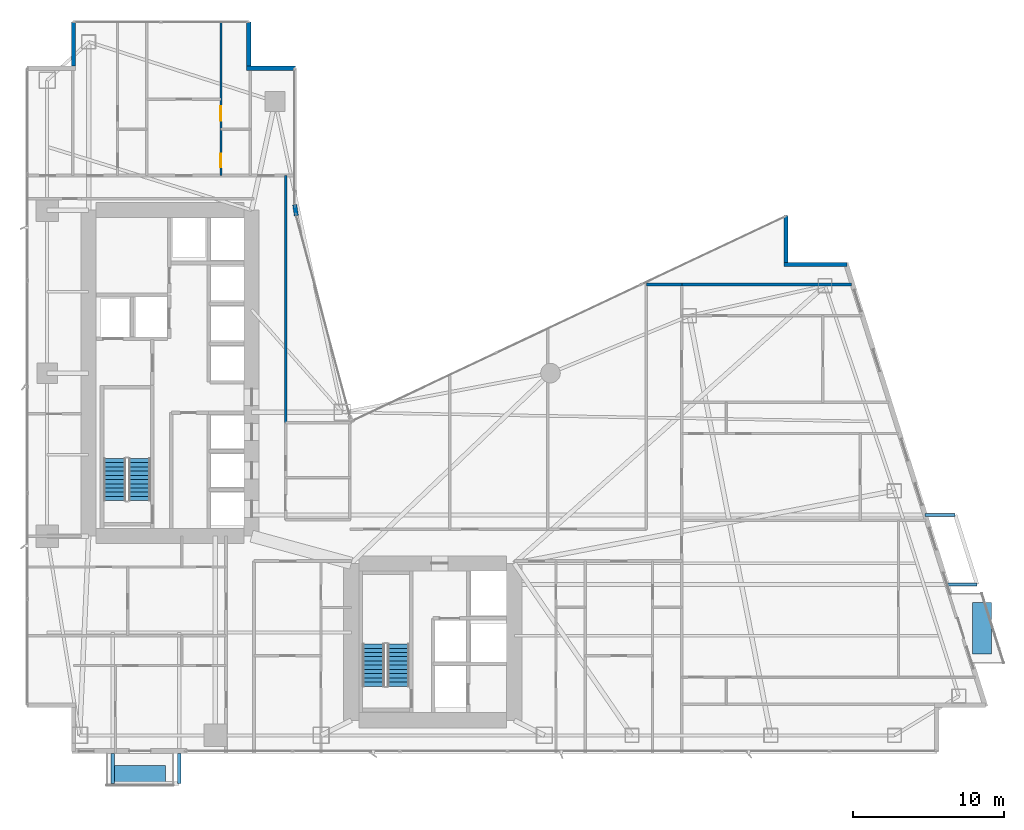
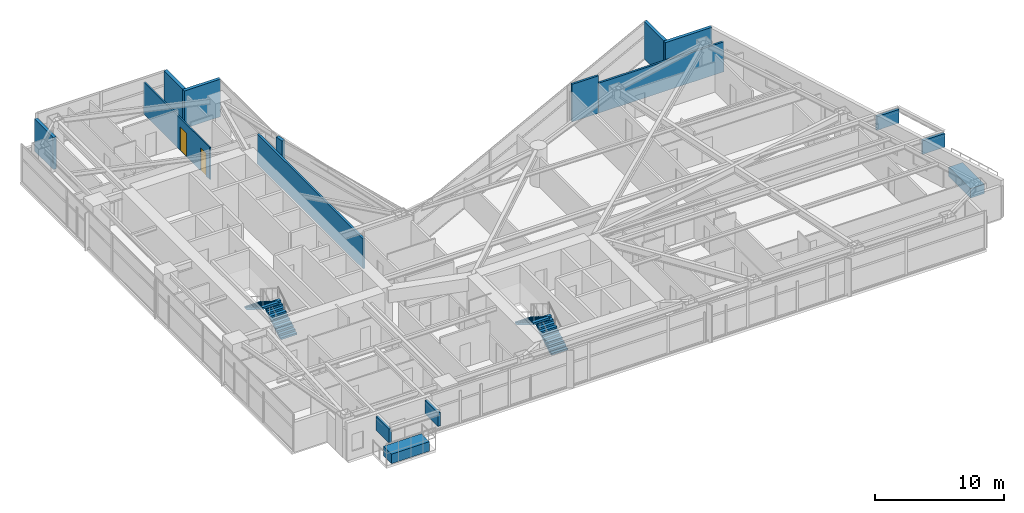
# One storey, part 26 of 30: 10 walls, 6 discrete accessories, 4 stair flights, 2 doors, 2 openings, 2 elements without a shape of their own.
"""IFC4 building model written with IfcOpenShell, lengths in metres."""

import ifcopenshell
import ifcopenshell.guid

model = None  # the IFC model being written
_history = None  # IfcOwnerHistory: only IFC2X3 demands one
_inside = {}  # id of a spatial element -> (the spatial element, [elements in it])
_under = {}  # id of a project, library or spatial element -> (it, [spatial elements below it])
_declared = {}  # id of a project -> (the project, [libraries it declares])
_typed = {}  # id of a type object -> (the type object, [elements of that type])
_made_of = {}  # id of a material, layer set ... -> (it, [elements and type objects made of it])


def new_model(schema):
    """Start an empty IFC model of exactly this schema.

    Asked for "IFC4X3", IfcOpenShell would pick the latest addendum, in which some entities
    have other attributes; the version numbers below select the first issue.
    IFC2X3 requires an IfcOwnerHistory on every rooted entity: one is made here for all.
    """
    global model, _history
    if schema == "IFC4X3":
        model = ifcopenshell.file(schema_version=(4, 3, 0, 0))
    else:
        model = ifcopenshell.file(schema=schema)
    _inside.clear()
    _under.clear()
    _declared.clear()
    _typed.clear()
    _made_of.clear()
    _history = None
    if model.schema == "IFC2X3":
        org = make("IfcOrganization", Name="unknown")
        user = make(
            "IfcPersonAndOrganization",
            ThePerson=make("IfcPerson", FamilyName="unknown"),
            TheOrganization=org,
        )
        app = make(
            "IfcApplication",
            ApplicationDeveloper=org,
            Version="unknown",
            ApplicationFullName="unknown",
            ApplicationIdentifier="unknown",
        )
        _history = make(
            "IfcOwnerHistory",
            OwningUser=user,
            OwningApplication=app,
            ChangeAction="ADDED",
            CreationDate=0,
        )
    return model


def make(cls, **values):
    """One entity of the class cls with the attributes given. An attribute that is None is left unset."""
    return model.create_entity(
        cls, **{name: value for name, value in values.items() if value is not None}
    )


def rooted(cls, **values):
    """An entity with a GlobalId (a new one), such as an element, a storey or a relation."""
    return make(cls, GlobalId=ifcopenshell.guid.new(), OwnerHistory=_history, **values)


def si_unit(unit_type, name, prefix=None):
    """IfcSIUnit, for example si_unit("LENGTHUNIT", "METRE", prefix="MILLI")."""
    return make("IfcSIUnit", UnitType=unit_type, Prefix=prefix, Name=name)


def assignment(units):
    """IfcUnitAssignment: the units of a project."""
    return None if units is None else make("IfcUnitAssignment", Units=units)


def point(xyz):
    """IfcCartesianPoint."""
    return None if xyz is None else make("IfcCartesianPoint", Coordinates=xyz)


def direction(xyz):
    """IfcDirection."""
    return None if xyz is None else make("IfcDirection", DirectionRatios=xyz)


def frame(location, z_axis=None, x_axis=None):
    """IfcAxis2Placement3D, a coordinate frame: its origin and axes. An axis left out is left unset."""
    return make(
        "IfcAxis2Placement3D",
        Location=point(location),
        Axis=direction(z_axis),
        RefDirection=direction(x_axis),
    )


def frame_2d(location, x_axis=None):
    """IfcAxis2Placement2D, a coordinate frame in the plane: its origin and x axis."""
    return make(
        "IfcAxis2Placement2D", Location=point(location), RefDirection=direction(x_axis)
    )


def origin():
    """The frame at (0, 0, 0) with its axes left unset."""
    return frame((0.0, 0.0, 0.0))


def origin_2d():
    """The frame at (0, 0) in the plane with its x axis left unset."""
    return frame_2d((0.0, 0.0))


def place(relative_to, where):
    """IfcLocalPlacement: puts the frame where relative to a parent placement (None: the world)."""
    return make(
        "IfcLocalPlacement", PlacementRelTo=relative_to, RelativePlacement=where
    )


def context(
    kind, dimensions, precision=None, world=None, true_north=None, identifier=None
):
    """IfcGeometricRepresentationContext, for example the 3D "Model" context."""
    return make(
        "IfcGeometricRepresentationContext",
        ContextIdentifier=identifier,
        ContextType=kind,
        CoordinateSpaceDimension=dimensions,
        Precision=precision,
        WorldCoordinateSystem=world,
        TrueNorth=true_north,
    )


def subcontext(parent, identifier, kind, view, scale=None):
    """IfcGeometricRepresentationSubContext, for example "Body" below "Model"."""
    return make(
        "IfcGeometricRepresentationSubContext",
        ContextIdentifier=identifier,
        ContextType=kind,
        ParentContext=parent,
        TargetScale=scale,
        TargetView=view,
    )


def project(units=None, contexts=None):
    """IfcProject with its units and contexts."""
    return rooted(
        "IfcProject",
        Name="project",
        RepresentationContexts=contexts,
        UnitsInContext=assignment(units),
    )


def spatial(cls, under=None, at=None, **own):
    """A site, building, storey or space (cls), placed at a placement, below another one or the project."""
    s = rooted(cls, ObjectPlacement=at, **own)
    if under is not None:
        _under.setdefault(under.id(), (under, []))[1].append(s)
    return s


def polyline(points):
    """IfcPolyline through the points."""
    return make("IfcPolyline", Points=[point(p) for p in points])


def profile(cls, at=None, kind="AREA", **sizes):
    """A parametric profile (cls). Its sizes go by their IFC names, for example OverallWidth=200.0."""
    return make(cls, ProfileType=kind, Position=at, **sizes)


def rectangle(**sizes):
    """IfcRectangleProfileDef."""
    return profile("IfcRectangleProfileDef", **sizes)


def outline(outer, holes=None, kind="AREA"):
    """IfcArbitraryClosedProfileDef: a profile drawn as a closed curve; with holes, ...WithVoids."""
    if holes is None:
        return make("IfcArbitraryClosedProfileDef", ProfileType=kind, OuterCurve=outer)
    return make(
        "IfcArbitraryProfileDefWithVoids",
        ProfileType=kind,
        OuterCurve=outer,
        InnerCurves=holes,
    )


def extrude(swept, where, along, depth):
    """IfcExtrudedAreaSolid: the profile swept, set in the frame where, extruded along a direction by depth."""
    return make(
        "IfcExtrudedAreaSolid",
        SweptArea=swept,
        Position=where,
        ExtrudedDirection=direction(along),
        Depth=depth,
    )


def shape(context_of_items, identifier, shape_type, items):
    """IfcShapeRepresentation: the items that make up one representation, for example the "Body"."""
    return make(
        "IfcShapeRepresentation",
        ContextOfItems=context_of_items,
        RepresentationIdentifier=identifier,
        RepresentationType=shape_type,
        Items=items,
    )


def material(Name=None, Category=None):
    """IfcMaterial."""
    return make("IfcMaterial", Name=Name, Category=Category)


def layer(
    of_material, thickness, ventilated=None, Name=None, Category=None, Priority=None
):
    """IfcMaterialLayer: one layer of a wall or slab, of a material (None: an air gap)."""
    return make(
        "IfcMaterialLayer",
        Material=of_material,
        LayerThickness=thickness,
        IsVentilated=ventilated,
        Name=Name,
        Category=Category,
        Priority=Priority,
    )


def layer_set(layers, Name=None):
    """IfcMaterialLayerSet."""
    return make("IfcMaterialLayerSet", MaterialLayers=layers, LayerSetName=Name)


def made_of(thing, what):
    """Note that an element or type object is made of a material, layer set ...; save() writes the relation."""
    if what is not None:
        _made_of.setdefault(what.id(), (what, []))[1].append(thing)
    return thing


def type_object(cls, material=None, **own):
    """A type object (cls), such as IfcWallType, which elements share."""
    return made_of(rooted(cls, **own), material)


def element(
    cls,
    number,
    at=None,
    inside=None,
    cuts=None,
    type_object=None,
    material=None,
    context=None,
    identifier="Body",
    shape_type=None,
    held_by="IfcProductDefinitionShape",
    body=None,
    shapes=None,
    **own,
):
    """One element of the class cls, such as IfcWall. Its Tag is "e" and its number.

    at: its placement. inside: the storey or other place that contains it. cuts: it is an
    opening in that element (IfcRelVoidsElement). A single representation is given by context,
    identifier, shape_type and body (its items); several are given by shapes. held_by: the class
    of the entity that holds the representations. save() writes the other relations.
    """
    e = rooted(cls, Tag="e%d" % number, ObjectPlacement=at, **own)
    if body is not None:
        shapes = [shape(context, identifier, shape_type, body)]
    if shapes is not None:
        e.Representation = make(held_by, Representations=shapes)
    if inside is not None:
        _inside.setdefault(inside.id(), (inside, []))[1].append(e)
    if cuts is not None:
        rooted(
            "IfcRelVoidsElement", RelatingBuildingElement=cuts, RelatedOpeningElement=e
        )
    if type_object is not None:
        _typed.setdefault(type_object.id(), (type_object, []))[1].append(e)
    return made_of(e, material)


def fill(opening, filler):
    """IfcRelFillsElement: the door or window that sits in an opening."""
    return rooted(
        "IfcRelFillsElement",
        RelatingOpeningElement=opening,
        RelatedBuildingElement=filler,
    )


def aggregate(whole, parts):
    """IfcRelAggregates: a whole, such as a stair, and the parts it consists of."""
    return rooted("IfcRelAggregates", RelatingObject=whole, RelatedObjects=parts)


def save(model, path):
    """Write the relations noted so far, then the file.

    IfcRelAggregates (storeys below a building ...), IfcRelContainedInSpatialStructure (elements
    in a storey), IfcRelDefinesByType, IfcRelAssociatesMaterial and IfcRelDeclares: one each for
    every whole, place, type object, material and project.
    """
    for whole, parts in _under.values():
        aggregate(whole, parts)
    for where, things in _inside.values():
        rooted(
            "IfcRelContainedInSpatialStructure",
            RelatedElements=things,
            RelatingStructure=where,
        )
    for kind, things in _typed.values():
        rooted("IfcRelDefinesByType", RelatedObjects=things, RelatingType=kind)
    for what, things in _made_of.values():
        rooted("IfcRelAssociatesMaterial", RelatedObjects=things, RelatingMaterial=what)
    for by, libraries in _declared.values():
        rooted("IfcRelDeclares", RelatingContext=by, RelatedDefinitions=libraries)
    model.write(path)


model = new_model("IFC4")

# Units and contexts
model_context = context("Model", 3, precision=1e-05, world=origin(), true_north=direction((0.0, 1.0)))
body_context = subcontext(model_context, "Body", "Model", "MODEL_VIEW")
ifc_project = project(units=[si_unit("LENGTHUNIT", "METRE"), si_unit("AREAUNIT", "SQUARE_METRE"), si_unit("VOLUMEUNIT", "CUBIC_METRE"), si_unit("PLANEANGLEUNIT", "RADIAN"), si_unit("MASSUNIT", "GRAM", prefix="KILO")], contexts=[model_context])

# Site, building, storey
site_placement = place(None, origin())
site = spatial("IfcSite", under=ifc_project, at=site_placement, CompositionType="ELEMENT")
building_placement = place(site_placement, origin())
building = spatial("IfcBuilding", under=site, at=building_placement, Name="Calvorn Quay Hotel", CompositionType="ELEMENT")
storey_placement = place(building_placement, frame((0.0, 0.0, 77.39990234375)))
storey = spatial("IfcBuildingStorey", under=building, at=storey_placement, Name="L18", CompositionType="ELEMENT", Elevation=77.39990234375)

# Walls
ifc_material_1 = material(Name="Acoustic Fireboard Steel-Stud Partition", Category="steel")
ifc_layer_1 = layer(ifc_material_1, 0.179931640625)
ifc_layer_set_1 = layer_set([ifc_layer_1], Name="WL-CORR-FIRE-180")
wall_type_1 = type_object("IfcWallType", Name="WL-CORR-FIRE-180", PredefinedType="PARTITIONING", material=ifc_layer_set_1)
wall_1_placement = place(storey_placement, frame((17.25, 24.300048828125, 0.0), z_axis=(0.0, 0.0, 1.0), x_axis=(0.0, 1.0, 0.0)))
element("IfcWall", 1, at=wall_1_placement, inside=storey, type_object=wall_type_1, Name="Partition Wall L18-WL-NW-CLOSURE-E", PredefinedType="PARTITIONING", context=body_context, shape_type="SweptSolid", body=[
    extrude(rectangle(XDim=16.39990234375, YDim=0.179931640625, at=frame_2d((8.199951171875, 0.0))), origin(), (0.0, 0.0, 1.0), 2.840087890625),
])
wall_2_placement = place(storey_placement, frame((43.5, 33.47998046875, 0.0), z_axis=(0.0, 0.0, 1.0), x_axis=(1.0, 0.0, 0.0)))
element("IfcWall", 2, at=wall_2_placement, inside=storey, type_object=wall_type_1, Name="Partition Wall L18-WL-TIP-N", PredefinedType="PARTITIONING", context=body_context, shape_type="SweptSolid", body=[
    extrude(rectangle(XDim=11.260009765625, YDim=0.179931640625, at=frame_2d((5.6298828125, 0.0))), origin(), (0.0, 0.0, 1.0), 2.840087890625),
])
wall_3_placement = place(storey_placement, frame((41.14990234375, 33.47998046875, 0.0), z_axis=(0.0, 0.0, 1.0), x_axis=(1.0, 0.0, 0.0)))
element("IfcWall", 3, at=wall_3_placement, inside=storey, type_object=wall_type_1, Name="Partition Wall L18-WL-CORR-TIP-NN", PredefinedType="PARTITIONING", context=body_context, shape_type="SweptSolid", body=[
    extrude(rectangle(XDim=2.35009765625, YDim=0.179931640625, at=frame_2d((1.175048828125, 0.0))), origin(), (0.0, 0.0, 1.0), 3.56005859375),
])

# Wall, openings, doors
ifc_material_2 = material(Name="Moisture-Resistant Tile-Backed Partition")
ifc_layer_2 = layer(ifc_material_2, 0.125)
ifc_layer_set_2 = layer_set([ifc_layer_2], Name="WL-ENSUITE-125")
wall_type_2 = type_object("IfcWallType", Name="WL-ENSUITE-125", PredefinedType="PARTITIONING", material=ifc_layer_set_2)
wall_4_placement = place(storey_placement, frame((12.9599609375, 40.699951171875, 0.0), z_axis=(0.0, 0.0, 1.0), x_axis=(0.0, 1.0, 0.0)))
wall_4 = element("IfcWall", 4, at=wall_4_placement, inside=storey, type_object=wall_type_2, Name="Partition Wall L18-WL-U05-BV", PredefinedType="PARTITIONING", context=body_context, shape_type="SweptSolid", body=[
    extrude(rectangle(XDim=10.239990234375, YDim=0.125, at=frame_2d((5.1201171875, 0.0))), origin(), (0.0, 0.0, 1.0), 3.0400390625),
])
opening_1_placement = place(wall_4_placement, frame((0.550048828125, 0.0, 0.0)))
opening_1 = element("IfcOpeningElement", 5, at=opening_1_placement, cuts=wall_4, Name="Opening D-L18-E05", PredefinedType="OPENING", context=body_context, shape_type="SweptSolid", body=[
    extrude(rectangle(XDim=0.89990234375, YDim=2.14990234375, at=frame_2d((0.449951171875, 1.074951171875))), frame((0.0, 0.072509765625, 0.0), z_axis=(0.0, -1.0, 0.0), x_axis=(1.0, 0.0, 0.0)), (0.0, 0.0, 1.0), 0.14501953125),
])
opening_2_placement = place(wall_4_placement, frame((3.6201171875, 0.0, 0.0)))
opening_2 = element("IfcOpeningElement", 6, at=opening_2_placement, cuts=wall_4, Name="Opening D-L18-S05", PredefinedType="OPENING", context=body_context, shape_type="SweptSolid", body=[
    extrude(rectangle(XDim=0.9599609375, YDim=2.199951171875, at=frame_2d((0.47998046875, 1.10009765625))), frame((0.0, 0.072509765625, 0.0), z_axis=(0.0, -1.0, 0.0), x_axis=(1.0, 0.0, 0.0)), (0.0, 0.0, 1.0), 0.14501953125),
])
ifc_material_3 = material(Name="Moisture-Sealed Timber En-Suite Door", Category="wood")
door_type_1 = type_object("IfcDoorType", Name="DR-ENSUITE-900", OperationType="NOTDEFINED", PredefinedType="DOOR", material=ifc_material_3)
door_1_placement = place(opening_1_placement, origin())
door_1 = element("IfcDoor", 7, at=door_1_placement, inside=storey, type_object=door_type_1, Name="En-Suite Door 05", OperationType="SINGLE_SWING_LEFT", OverallHeight=2.14990234375, OverallWidth=0.89990234375, PredefinedType="DOOR", context=body_context, shape_type="SweptSolid", body=[
    extrude(rectangle(XDim=0.89990234375, YDim=2.14990234375, at=frame_2d((0.449951171875, 1.074951171875))), frame((0.0, 0.02490234375, 0.0), z_axis=(0.0, -1.0, 0.0), x_axis=(1.0, 0.0, 0.0)), (0.0, 0.0, 1.0), 0.050048828125),
])
fill(opening_1, door_1)
ifc_material_4 = material(Name="Solid Timber Internal Suite Door", Category="wood")
door_type_2 = type_object("IfcDoorType", Name="DR-SUITE-INT-960", OperationType="NOTDEFINED", PredefinedType="DOOR", material=ifc_material_4)
door_2_placement = place(opening_2_placement, origin())
door_2 = element("IfcDoor", 8, at=door_2_placement, inside=storey, type_object=door_type_2, Name="Botanical Winter Garden Door 05", OperationType="SINGLE_SWING_RIGHT", OverallHeight=2.199951171875, OverallWidth=0.9599609375, PredefinedType="DOOR", context=body_context, shape_type="SweptSolid", body=[
    extrude(rectangle(XDim=0.9599609375, YDim=2.199951171875, at=frame_2d((0.47998046875, 1.10009765625))), frame((0.0, 0.02490234375, 0.0), z_axis=(0.0, -1.0, 0.0), x_axis=(1.0, 0.0, 0.0)), (0.0, 0.0, 1.0), 0.050048828125),
])
fill(opening_2, door_2)

# Walls
ifc_material_5 = material(Name="Concrete C40", Category="concrete")
ifc_layer_3 = layer(ifc_material_5, 0.320068359375)
ifc_layer_set_3 = layer_set([ifc_layer_3], Name="WL-EXT-SPANDREL-320")
wall_type_3 = type_object("IfcWallType", Name="WL-EXT-SPANDREL-320", PredefinedType="SOLIDWALL", material=ifc_layer_set_3)
wall_5_placement = place(storey_placement, frame((17.9619140625, 38.030029296875, 0.0), z_axis=(0.0, 0.0, 1.0), x_axis=(-0.15141125477, 0.988470855377, 0.0)))
element("IfcWall", 9, at=wall_5_placement, inside=storey, type_object=wall_type_3, Name="Inner Court Corner Pier L18-ICJ2", PredefinedType="SOLIDWALL", context=body_context, shape_type="SweptSolid", body=[
    extrude(rectangle(XDim=0.738525390625, YDim=0.280029296875, at=frame_2d((0.369140625, 0.0))), origin(), (0.0, 0.0, 1.0), 3.56005859375),
])
wall_6_placement = place(storey_placement, frame((54.43994140625, 34.800048828125, 0.0), z_axis=(0.0, 0.0, 1.0), x_axis=(-1.0, 0.0, 0.0)))
element("IfcWall", 10, at=wall_6_placement, inside=storey, type_object=wall_type_3, Name="Notched Corner Spandrel L18-NE1", PredefinedType="SOLIDWALL", context=body_context, shape_type="SweptSolid", body=[
    extrude(rectangle(XDim=4.179931640625, YDim=0.280029296875, at=frame_2d((2.08984375, 0.0))), origin(), (0.0, 0.0, 1.0), 3.56005859375),
])
wall_7_placement = place(storey_placement, frame((50.39990234375, 34.93994140625, 0.0), z_axis=(0.0, 0.0, 1.0), x_axis=(0.0, 1.0, 0.0)))
element("IfcWall", 11, at=wall_7_placement, inside=storey, type_object=wall_type_3, Name="Notched Corner Spandrel L18-NE2", PredefinedType="SOLIDWALL", context=body_context, shape_type="SweptSolid", body=[
    extrude(rectangle(XDim=3.10009765625, YDim=0.280029296875, at=frame_2d((1.550048828125, 0.0))), origin(), (0.0, 0.0, 1.0), 3.56005859375),
])
wall_8_placement = place(storey_placement, frame((17.89990234375, 47.800048828125, 0.0), z_axis=(0.0, 0.0, 1.0), x_axis=(-1.0, 0.0, 0.0)))
element("IfcWall", 12, at=wall_8_placement, inside=storey, type_object=wall_type_3, Name="Notched Corner Spandrel L18-NWE1", PredefinedType="SOLIDWALL", context=body_context, shape_type="SweptSolid", body=[
    extrude(rectangle(XDim=3.239990234375, YDim=0.280029296875, at=frame_2d((1.6201171875, 0.0))), origin(), (0.0, 0.0, 1.0), 3.56005859375),
])
wall_9_placement = place(storey_placement, frame((14.800048828125, 47.93994140625, 0.0), z_axis=(0.0, 0.0, 1.0), x_axis=(0.0, 1.0, 0.0)))
element("IfcWall", 13, at=wall_9_placement, inside=storey, type_object=wall_type_3, Name="Notched Corner Spandrel L18-NWE2", PredefinedType="SOLIDWALL", context=body_context, shape_type="SweptSolid", body=[
    extrude(rectangle(XDim=2.93994140625, YDim=0.280029296875, at=frame_2d((1.469970703125, 0.0))), origin(), (0.0, 0.0, 1.0), 3.56005859375),
])
wall_10_placement = place(storey_placement, frame((3.199951171875, 50.8798828125, 0.0), z_axis=(0.0, 0.0, 1.0), x_axis=(0.0, -1.0, 0.0)))
element("IfcWall", 14, at=wall_10_placement, inside=storey, type_object=wall_type_3, Name="Notched Corner Spandrel L18-NW1", PredefinedType="SOLIDWALL", context=body_context, shape_type="SweptSolid", body=[
    extrude(rectangle(XDim=2.93994140625, YDim=0.280029296875, at=frame_2d((1.469970703125, 0.0))), origin(), (0.0, 0.0, 1.0), 3.0400390625),
])

# Stair, stair flights
ifc_material_6 = material(Name="Concrete C40", Category="concrete")
stair_type = type_object("IfcStairType", Name="STR-CORE-DOGLEG", PredefinedType="HALF_TURN_STAIR", material=ifc_material_6)
stair_1_placement = place(storey_placement, origin())
stair_1 = element("IfcStair", 15, at=stair_1_placement, inside=storey, type_object=stair_type, Name="L18 ST-W", PredefinedType="HALF_TURN_STAIR")
ifc_material_7 = material(Name="Concrete C40", Category="concrete")
stair_flight_type = type_object("IfcStairFlightType", Name="FLT-CORE-1550", PredefinedType="STRAIGHT", material=ifc_material_7)
stair_flight_1_placement = place(storey_placement, frame((7.574951171875, 19.14990234375, 0.0), z_axis=(0.0, 0.0, 1.0), x_axis=(0.0, 1.0, 0.0)))
stair_flight_1 = element("IfcStairFlight", 16, at=stair_flight_1_placement, type_object=stair_flight_type, Name="ST-W flight 1", NumberOfRisers=11, NumberOfTreads=10, PredefinedType="STRAIGHT", RiserHeight=0.172727273, TreadLength=0.28, context=body_context, shape_type="SweptSolid", body=[
    extrude(outline(polyline([(0.0, 0.0), (0.0, 0.172607421875), (0.280029296875, 0.172607421875), (0.280029296875, 0.345458984375), (0.56005859375, 0.345458984375), (0.56005859375, 0.51806640625), (0.840087890625, 0.51806640625), (0.840087890625, 0.69091796875), (1.1201171875, 0.69091796875), (1.1201171875, 0.863525390625), (1.39990234375, 0.863525390625), (1.39990234375, 1.036376953125), (1.679931640625, 1.036376953125), (1.679931640625, 1.208984375), (1.9599609375, 1.208984375), (1.9599609375, 1.3818359375), (2.239990234375, 1.3818359375), (2.239990234375, 1.554443359375), (2.52001953125, 1.554443359375), (2.52001953125, 1.727294921875), (2.800048828125, 1.727294921875), (2.800048828125, 1.89990234375), (2.800048828125, 1.551025390625), (0.285400390625, 0.0), (0.0, 0.0)])), frame((0.0, 0.72509765625, 0.0), z_axis=(0.0, -1.0, 0.0), x_axis=(1.0, 0.0, 0.0)), (0.0, 0.0, 1.0), 1.449951171875),
])
stair_flight_2_placement = place(storey_placement, frame((5.925048828125, 21.949951171875, 1.900146484375), z_axis=(0.0, 0.0, 1.0), x_axis=(0.0, -1.0, 0.0)))
stair_flight_2 = element("IfcStairFlight", 17, at=stair_flight_2_placement, type_object=stair_flight_type, Name="ST-W flight 2", NumberOfRisers=11, NumberOfTreads=10, PredefinedType="STRAIGHT", RiserHeight=0.172727273, TreadLength=0.28, context=body_context, shape_type="SweptSolid", body=[
    extrude(outline(polyline([(0.0, 0.0), (0.0, 0.172607421875), (0.280029296875, 0.172607421875), (0.280029296875, 0.345458984375), (0.56005859375, 0.345458984375), (0.56005859375, 0.51806640625), (0.840087890625, 0.51806640625), (0.840087890625, 0.69091796875), (1.1201171875, 0.69091796875), (1.1201171875, 0.863525390625), (1.39990234375, 0.863525390625), (1.39990234375, 1.036376953125), (1.679931640625, 1.036376953125), (1.679931640625, 1.208984375), (1.9599609375, 1.208984375), (1.9599609375, 1.3818359375), (2.239990234375, 1.3818359375), (2.239990234375, 1.554443359375), (2.52001953125, 1.554443359375), (2.52001953125, 1.727294921875), (2.800048828125, 1.727294921875), (2.800048828125, 1.89990234375), (2.800048828125, 1.551025390625), (0.285400390625, 0.0), (0.0, 0.0)])), frame((0.0, 0.72509765625, 0.0), z_axis=(0.0, -1.0, 0.0), x_axis=(1.0, 0.0, 0.0)), (0.0, 0.0, 1.0), 1.449951171875),
])
aggregate(stair_1, [stair_flight_1, stair_flight_2])

stair_2_placement = place(storey_placement, origin())
stair_2 = element("IfcStair", 18, at=stair_2_placement, inside=storey, type_object=stair_type, Name="L18 ST-E", PredefinedType="HALF_TURN_STAIR")
stair_flight_3_placement = place(storey_placement, frame((24.72509765625, 6.85009765625, 0.0), z_axis=(0.0, 0.0, 1.0), x_axis=(0.0, 1.0, 0.0)))
stair_flight_3 = element("IfcStairFlight", 19, at=stair_flight_3_placement, type_object=stair_flight_type, Name="ST-E flight 1", NumberOfRisers=11, NumberOfTreads=10, PredefinedType="STRAIGHT", RiserHeight=0.172727273, TreadLength=0.28, context=body_context, shape_type="SweptSolid", body=[
    extrude(outline(polyline([(0.0, 0.0), (0.0, 0.172607421875), (0.280029296875, 0.172607421875), (0.280029296875, 0.345458984375), (0.56005859375, 0.345458984375), (0.56005859375, 0.51806640625), (0.840087890625, 0.51806640625), (0.840087890625, 0.69091796875), (1.1201171875, 0.69091796875), (1.1201171875, 0.863525390625), (1.39990234375, 0.863525390625), (1.39990234375, 1.036376953125), (1.679931640625, 1.036376953125), (1.679931640625, 1.208984375), (1.9599609375, 1.208984375), (1.9599609375, 1.3818359375), (2.239990234375, 1.3818359375), (2.239990234375, 1.554443359375), (2.52001953125, 1.554443359375), (2.52001953125, 1.727294921875), (2.800048828125, 1.727294921875), (2.800048828125, 1.89990234375), (2.800048828125, 1.551025390625), (0.285400390625, 0.0), (0.0, 0.0)])), frame((0.0, 0.72509765625, 0.0), z_axis=(0.0, -1.0, 0.0), x_axis=(1.0, 0.0, 0.0)), (0.0, 0.0, 1.0), 1.449951171875),
])
stair_flight_4_placement = place(storey_placement, frame((23.074951171875, 9.64990234375, 1.900146484375), z_axis=(0.0, 0.0, 1.0), x_axis=(0.0, -1.0, 0.0)))
stair_flight_4 = element("IfcStairFlight", 20, at=stair_flight_4_placement, type_object=stair_flight_type, Name="ST-E flight 2", NumberOfRisers=11, NumberOfTreads=10, PredefinedType="STRAIGHT", RiserHeight=0.172727273, TreadLength=0.28, context=body_context, shape_type="SweptSolid", body=[
    extrude(outline(polyline([(0.0, 0.0), (0.0, 0.172607421875), (0.280029296875, 0.172607421875), (0.280029296875, 0.345458984375), (0.56005859375, 0.345458984375), (0.56005859375, 0.51806640625), (0.840087890625, 0.51806640625), (0.840087890625, 0.69091796875), (1.1201171875, 0.69091796875), (1.1201171875, 0.863525390625), (1.39990234375, 0.863525390625), (1.39990234375, 1.036376953125), (1.679931640625, 1.036376953125), (1.679931640625, 1.208984375), (1.9599609375, 1.208984375), (1.9599609375, 1.3818359375), (2.239990234375, 1.3818359375), (2.239990234375, 1.554443359375), (2.52001953125, 1.554443359375), (2.52001953125, 1.727294921875), (2.800048828125, 1.727294921875), (2.800048828125, 1.89990234375), (2.800048828125, 1.551025390625), (0.285400390625, 0.0), (0.0, 0.0)])), frame((0.0, 0.72509765625, 0.0), z_axis=(0.0, -1.0, 0.0), x_axis=(1.0, 0.0, 0.0)), (0.0, 0.0, 1.0), 1.449951171875),
])
aggregate(stair_2, [stair_flight_3, stair_flight_4])

# Discrete accessories
ifc_material_8 = material(Name="Steel Q355B", Category="steel")
discrete_accessory_type_1 = type_object("IfcDiscreteAccessoryType", Name="ACC-BALC-STRUT", PredefinedType="BRACKET", material=ifc_material_8)
for number, where, z_axis, x_axis, name in (
    (21, (62.073974609375, 13.60009765625, 2.01513671875), (0.0, 0.0, 1.0), (1.0, 0.0, 0.0), "Exterior Balcony Steel Bracket L19-BALC-E-A"),
    (22, (60.625, 18.199951171875, 2.01513671875), (0.0, 0.0, 1.0), (1.0, 0.0, 0.0), "Exterior Balcony Steel Bracket L19-BALC-E-B"),
):
    element("IfcDiscreteAccessory", number, at=place(storey_placement, frame(where, z_axis=z_axis, x_axis=x_axis)), inside=storey, type_object=discrete_accessory_type_1, Name=name, PredefinedType="BRACKET", context=body_context, shape_type="SweptSolid", body=[
        extrude(rectangle(XDim=1.989990234375, YDim=0.219970703125, at=origin_2d()), origin(), (0.0, 0.0, 1.0), 1.300048828125),
    ])
for number, where, z_axis, x_axis, name in (
    (23, (5.800048828125, 1.405029296875, 2.01513671875), (0.0, 0.0, 1.0), (1.0, 0.0, 0.0), "Exterior Balcony Steel Bracket L19-BALC-S-A"),
    (24, (10.199951171875, 1.405029296875, 2.01513671875), (0.0, 0.0, 1.0), (1.0, 0.0, 0.0), "Exterior Balcony Steel Bracket L19-BALC-S-B"),
):
    element("IfcDiscreteAccessory", number, at=place(storey_placement, frame(where, z_axis=z_axis, x_axis=x_axis)), inside=storey, type_object=discrete_accessory_type_1, Name=name, PredefinedType="BRACKET", context=body_context, shape_type="SweptSolid", body=[
        extrude(rectangle(XDim=0.219970703125, YDim=1.989990234375, at=origin_2d()), origin(), (0.0, 0.0, 1.0), 1.300048828125),
    ])
ifc_material_9 = material(Name="Precast concrete C40", Category="concrete")
discrete_accessory_type_2 = type_object("IfcDiscreteAccessoryType", Name="ACC-TREE-PLANTER", PredefinedType="USERDEFINED", material=ifc_material_9)
discrete_accessory_1_placement = place(storey_placement, frame((63.403076171875, 10.699951171875, 0.000244140625), z_axis=(0.0, 0.0, 1.0), x_axis=(1.0, 0.0, 0.0)))
element("IfcDiscreteAccessory", 25, at=discrete_accessory_1_placement, inside=storey, type_object=discrete_accessory_type_2, Name="Subtropical Tree Structural Planter L18-BALC-E", ObjectType="PLANTER", PredefinedType="USERDEFINED", context=body_context, shape_type="SweptSolid", body=[
    extrude(rectangle(XDim=1.25, YDim=3.39990234375, at=origin_2d()), origin(), (0.0, 0.0, 1.0), 0.89990234375),
])
discrete_accessory_2_placement = place(storey_placement, frame((7.60009765625, 0.989990234375, 0.000244140625), z_axis=(0.0, 0.0, 1.0), x_axis=(1.0, 0.0, 0.0)))
element("IfcDiscreteAccessory", 26, at=discrete_accessory_2_placement, inside=storey, type_object=discrete_accessory_type_2, Name="Subtropical Tree Structural Planter L18-BALC-S", ObjectType="PLANTER", PredefinedType="USERDEFINED", context=body_context, shape_type="SweptSolid", body=[
    extrude(rectangle(XDim=3.39990234375, YDim=1.25, at=origin_2d()), origin(), (0.0, 0.0, 1.0), 0.89990234375),
])

save(model, "model.ifc")
